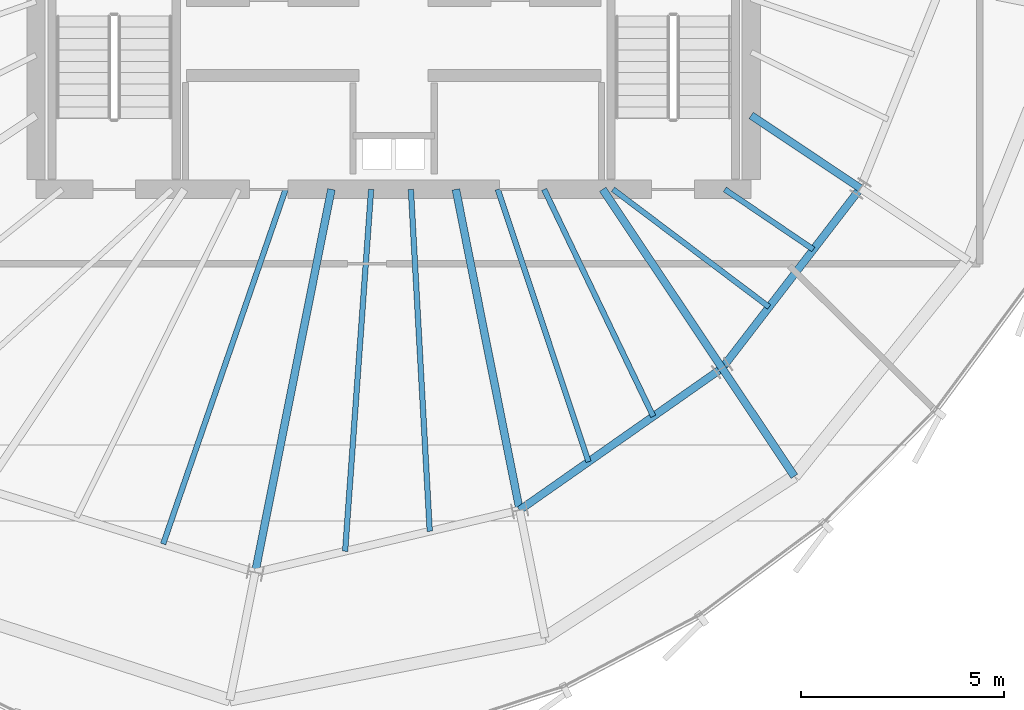
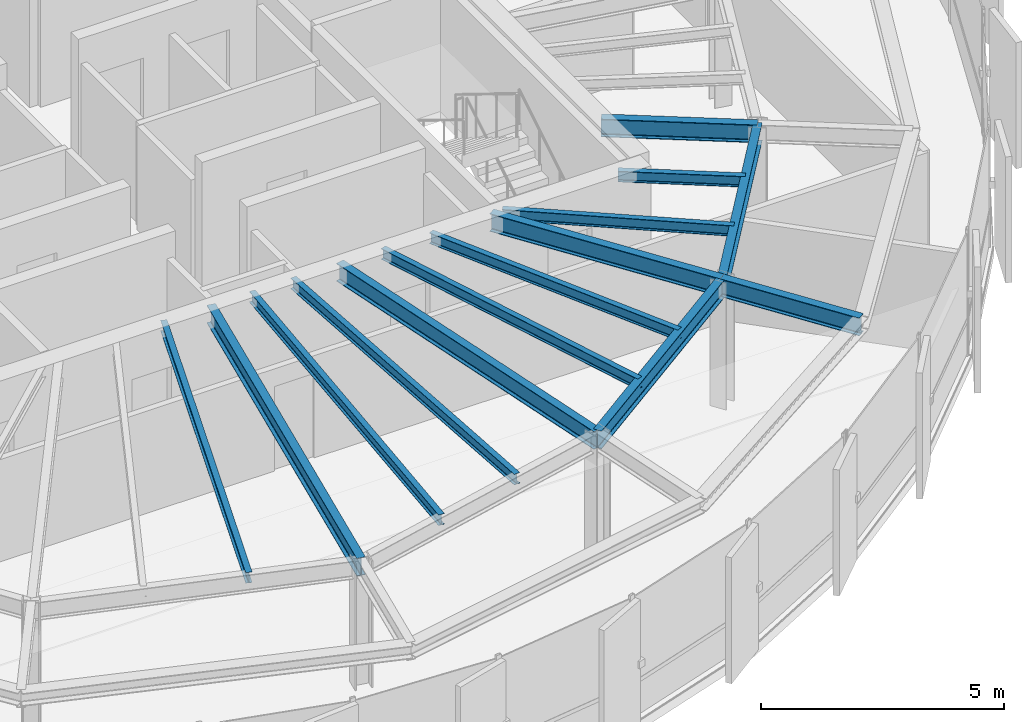
# One storey, part 8 of 33: 14 beams.
"""IFC4 building model written with IfcOpenShell, lengths in metres."""

from ifc_helpers import new_model, si_unit, direction, frame, origin, origin_2d, place, context, subcontext, project, spatial, i_section, extrude, source, transform, mapped, material, material_profile, profile_set, type_object, element, save


model = new_model("IFC4")

# Units and contexts
model_context = context("Model", 3, precision=1e-05, world=origin(), true_north=direction((0.0, 1.0)))
body_context = subcontext(model_context, "Body", "Model", "MODEL_VIEW")
ifc_project = project(units=[si_unit("LENGTHUNIT", "METRE"), si_unit("AREAUNIT", "SQUARE_METRE"), si_unit("VOLUMEUNIT", "CUBIC_METRE"), si_unit("PLANEANGLEUNIT", "RADIAN"), si_unit("MASSUNIT", "GRAM", prefix="KILO"), si_unit("THERMODYNAMICTEMPERATUREUNIT", "KELVIN")], contexts=[model_context])

# Site, building, storey
site_placement = place(None, origin())
site = spatial("IfcSite", under=ifc_project, at=site_placement, CompositionType="ELEMENT")
building_placement = place(site_placement, origin())
building = spatial("IfcBuilding", under=site, at=building_placement, Name="Kethvar Cultural Tower", CompositionType="ELEMENT")
storey_placement = place(building_placement, frame((0.0, 0.0, 266.35009765625)))
storey = spatial("IfcBuildingStorey", under=building, at=storey_placement, Name="L70", CompositionType="ELEMENT", Elevation=266.35009765625)

# Beams
ifc_material = material(Name="Steel S355J2", Category="steel")
ifc_material_profile_1 = material_profile(ifc_material, i_section(OverallWidth=0.18994140625, OverallDepth=0.449951171875, WebThickness=0.009521484375, FlangeThickness=0.0146484375, FilletRadius=0.02099609375, at=origin_2d()), Name="Steel S355J2 — IPE450")
ifc_profile_set_1 = profile_set([ifc_material_profile_1], Name="Steel S355J2 — IPE450")
beam_type_1 = type_object("IfcBeamType", Name="BM-IPE450", PredefinedType="BEAM", material=ifc_profile_set_1)
shared_shape_1 = source(origin(), body_context, "Body", "SweptSolid", [
    extrude(i_section(OverallWidth=0.18994140625, OverallDepth=0.449951171875, WebThickness=0.009521484375, FlangeThickness=0.0146484375, FilletRadius=0.02099609375, at=origin_2d()), origin(), (0.0, 0.0, 1.0), 3.199951171875),
])
beam_1_placement = place(storey_placement, frame((54.885009765625, 15.7001953125, 2.98291015625), z_axis=(0.555492222339, -0.83152173208, 0.0), x_axis=(0.83152173208, 0.555492222339, 0.0)))
element("IfcBeam", 1, at=beam_1_placement, inside=storey, type_object=beam_type_1, Name="L70 Perimeter Cantilever Beam RC-14", PredefinedType="BEAM", context=body_context, shape_type="MappedRepresentation", body=[
    mapped(shared_shape_1, transform((0.0, 0.0, 0.0), scale=1.0)),
])
shared_shape_2 = source(origin(), body_context, "Body", "SweptSolid", [
    extrude(i_section(OverallWidth=0.18994140625, OverallDepth=0.449951171875, WebThickness=0.009521484375, FlangeThickness=0.0146484375, FilletRadius=0.02099609375, at=origin_2d()), origin(), (0.0, 0.0, 1.0), 9.613525390625),
])
beam_2_placement = place(storey_placement, frame((45.268310546875, 20.10009765625, 2.98291015625), z_axis=(-0.195090428816, -0.980785259159, 0.0), x_axis=(0.980785259159, -0.195090428816, 0.0)))
element("IfcBeam", 2, at=beam_2_placement, inside=storey, type_object=beam_type_1, Name="L70 Primary Radial Beam RB-12", PredefinedType="BEAM", context=body_context, shape_type="MappedRepresentation", body=[
    mapped(shared_shape_2, transform((0.0, 0.0, 0.0), scale=1.0)),
])
shared_shape_3 = source(origin(), body_context, "Body", "SweptSolid", [
    extrude(i_section(OverallWidth=0.18994140625, OverallDepth=0.449951171875, WebThickness=0.009521484375, FlangeThickness=0.0146484375, FilletRadius=0.02099609375, at=origin_2d()), origin(), (0.0, 0.0, 1.0), 8.0478515625),
])
beam_3_placement = place(storey_placement, frame((48.33154296875, 20.10009765625, 2.98291015625), z_axis=(0.195089278796, -0.980785487912, 0.0), x_axis=(0.980785487912, 0.195089278796, 0.0)))
element("IfcBeam", 3, at=beam_3_placement, inside=storey, type_object=beam_type_1, Name="L70 Primary Radial Beam RB-13", PredefinedType="BEAM", context=body_context, shape_type="MappedRepresentation", body=[
    mapped(shared_shape_3, transform((0.0, 0.0, 0.0), scale=1.0)),
])
shared_shape_4 = source(origin(), body_context, "Body", "SweptSolid", [
    extrude(i_section(OverallWidth=0.18994140625, OverallDepth=0.449951171875, WebThickness=0.009521484375, FlangeThickness=0.0146484375, FilletRadius=0.02099609375, at=origin_2d()), origin(), (0.0, 0.0, 1.0), 5.291748046875),
])
beam_4_placement = place(storey_placement, frame((51.945068359375, 20.10009765625, 2.98291015625), z_axis=(0.555572931011, -0.831467809556, 0.0), x_axis=(0.831467809556, 0.555572931011, 0.0)))
element("IfcBeam", 4, at=beam_4_placement, inside=storey, type_object=beam_type_1, Name="L70 Primary Radial Beam RB-14", PredefinedType="BEAM", context=body_context, shape_type="MappedRepresentation", body=[
    mapped(shared_shape_4, transform((0.0, 0.0, 0.0), scale=1.0)),
])
shared_shape_5 = source(origin(), body_context, "Body", "SweptSolid", [
    extrude(i_section(OverallWidth=0.18994140625, OverallDepth=0.449951171875, WebThickness=0.009521484375, FlangeThickness=0.0146484375, FilletRadius=0.02099609375, at=origin_2d()), origin(), (0.0, 0.0, 1.0), 3.231689453125),
])
beam_5_placement = place(storey_placement, frame((55.60009765625, 21.919921875, 2.98291015625), z_axis=(0.831468708055, -0.55557158632, 0.0), x_axis=(0.55557158632, 0.831468708055, 0.0)))
element("IfcBeam", 5, at=beam_5_placement, inside=storey, type_object=beam_type_1, Name="L70 Primary Radial Beam RB-15", PredefinedType="BEAM", context=body_context, shape_type="MappedRepresentation", body=[
    mapped(shared_shape_5, transform((0.0, 0.0, 0.0), scale=1.0)),
])
ifc_material_profile_2 = material_profile(ifc_material, i_section(OverallWidth=0.135009765625, OverallDepth=0.27001953125, WebThickness=0.006591796875, FlangeThickness=0.01025390625, FilletRadius=0.014892578125, at=origin_2d()), Name="Steel S355J2 — IPE270")
ifc_profile_set_2 = profile_set([ifc_material_profile_2], Name="Steel S355J2 — IPE270")
beam_type_2 = type_object("IfcBeamType", Name="BM-J270", PredefinedType="JOIST", material=ifc_profile_set_2)
shared_shape_6 = source(origin(), body_context, "Body", "SweptSolid", [
    extrude(i_section(OverallWidth=0.135009765625, OverallDepth=0.27001953125, WebThickness=0.006591796875, FlangeThickness=0.01025390625, FilletRadius=0.014892578125, at=origin_2d()), origin(), (0.0, 0.0, 1.0), 9.234130859375),
])
beam_6_placement = place(storey_placement, frame((44.1416015625, 20.10009765625, 3.072998046875), z_axis=(-0.326362208058, -0.945244787953, 0.0), x_axis=(0.945244787953, -0.326362208058, 0.0)))
element("IfcBeam", 6, at=beam_6_placement, inside=storey, type_object=beam_type_2, Name="L70 Composite Floor Joist J-11B", PredefinedType="JOIST", context=body_context, shape_type="MappedRepresentation", body=[
    mapped(shared_shape_6, transform((0.0, 0.0, 0.0), scale=1.0)),
])
shared_shape_7 = source(origin(), body_context, "Body", "SweptSolid", [
    extrude(i_section(OverallWidth=0.135009765625, OverallDepth=0.27001953125, WebThickness=0.006591796875, FlangeThickness=0.01025390625, FilletRadius=0.014892578125, at=origin_2d()), origin(), (0.0, 0.0, 1.0), 8.9296875),
])
beam_7_placement = place(storey_placement, frame((46.246337890625, 20.10009765625, 3.072998046875), z_axis=(-0.071713352262, -0.99742528297, 0.0), x_axis=(0.99742528297, -0.071713352262, 0.0)))
element("IfcBeam", 7, at=beam_7_placement, inside=storey, type_object=beam_type_2, Name="L70 Composite Floor Joist J-12A", PredefinedType="JOIST", context=body_context, shape_type="MappedRepresentation", body=[
    mapped(shared_shape_7, transform((0.0, 0.0, 0.0), scale=1.0)),
])
shared_shape_8 = source(origin(), body_context, "Body", "SweptSolid", [
    extrude(i_section(OverallWidth=0.135009765625, OverallDepth=0.27001953125, WebThickness=0.006591796875, FlangeThickness=0.01025390625, FilletRadius=0.014892578125, at=origin_2d()), origin(), (0.0, 0.0, 1.0), 8.427978515625),
])
beam_8_placement = place(storey_placement, frame((47.224609375, 20.10009765625, 3.072998046875), z_axis=(0.055067321535, -0.998482643865, 0.0), x_axis=(0.998482643865, 0.055067321535, 0.0)))
element("IfcBeam", 8, at=beam_8_placement, inside=storey, type_object=beam_type_2, Name="L70 Composite Floor Joist J-12B", PredefinedType="JOIST", context=body_context, shape_type="MappedRepresentation", body=[
    mapped(shared_shape_8, transform((0.0, 0.0, 0.0), scale=1.0)),
])
shared_shape_9 = source(origin(), body_context, "Body", "SweptSolid", [
    extrude(i_section(OverallWidth=0.18994140625, OverallDepth=0.449951171875, WebThickness=0.009521484375, FlangeThickness=0.0146484375, FilletRadius=0.02099609375, at=origin_2d()), origin(), (0.0, 0.0, 1.0), 6.0859375),
])
beam_9_placement = place(storey_placement, frame((49.901611328125, 12.206787109375, 2.98291015625), z_axis=(0.818843498091, 0.57401683393, 0.0), x_axis=(-0.57401683393, 0.818843498091, 0.0)))
element("IfcBeam", 9, at=beam_9_placement, inside=storey, type_object=beam_type_1, Name="L70 Column Ring Tie Beam CR-13", PredefinedType="BEAM", context=body_context, shape_type="MappedRepresentation", body=[
    mapped(shared_shape_9, transform((0.0, 0.0, 0.0), scale=1.0)),
])
shared_shape_10 = source(origin(), body_context, "Body", "SweptSolid", [
    extrude(i_section(OverallWidth=0.135009765625, OverallDepth=0.27001953125, WebThickness=0.006591796875, FlangeThickness=0.01025390625, FilletRadius=0.014892578125, at=origin_2d()), origin(), (0.0, 0.0, 1.0), 7.0673828125),
])
beam_10_placement = place(storey_placement, frame((49.363525390625, 20.10009765625, 3.072998046875), z_axis=(0.315875389768, -0.948800684095, 0.0), x_axis=(0.948800684095, 0.315875389768, 0.0)))
element("IfcBeam", 10, at=beam_10_placement, inside=storey, type_object=beam_type_2, Name="L70 Composite Floor Joist J-13A", PredefinedType="JOIST", context=body_context, shape_type="MappedRepresentation", body=[
    mapped(shared_shape_10, transform((0.0, 0.0, 0.0), scale=1.0)),
])
shared_shape_11 = source(origin(), body_context, "Body", "SweptSolid", [
    extrude(i_section(OverallWidth=0.135009765625, OverallDepth=0.27001953125, WebThickness=0.006591796875, FlangeThickness=0.01025390625, FilletRadius=0.014892578125, at=origin_2d()), origin(), (0.0, 0.0, 1.0), 6.2001953125),
])
beam_11_placement = place(storey_placement, frame((50.50341796875, 20.10009765625, 3.072998046875), z_axis=(0.433410678328, -0.901196529017, 0.0), x_axis=(0.901196529017, 0.433410678328, 0.0)))
element("IfcBeam", 11, at=beam_11_placement, inside=storey, type_object=beam_type_2, Name="L70 Composite Floor Joist J-13B", PredefinedType="JOIST", context=body_context, shape_type="MappedRepresentation", body=[
    mapped(shared_shape_11, transform((0.0, 0.0, 0.0), scale=1.0)),
])
shared_shape_12 = source(origin(), body_context, "Body", "SweptSolid", [
    extrude(i_section(OverallWidth=0.18994140625, OverallDepth=0.449951171875, WebThickness=0.009521484375, FlangeThickness=0.0146484375, FilletRadius=0.02099609375, at=origin_2d()), origin(), (0.0, 0.0, 1.0), 5.5810546875),
])
beam_12_placement = place(storey_placement, frame((54.885009765625, 15.7001953125, 2.98291015625), z_axis=(0.60957334008, 0.79272967843, 0.0), x_axis=(-0.79272967843, 0.60957334008, 0.0)))
element("IfcBeam", 12, at=beam_12_placement, inside=storey, type_object=beam_type_1, Name="L70 Column Ring Tie Beam CR-14", PredefinedType="BEAM", context=body_context, shape_type="MappedRepresentation", body=[
    mapped(shared_shape_12, transform((0.0, 0.0, 0.0), scale=1.0)),
])
shared_shape_13 = source(origin(), body_context, "Body", "SweptSolid", [
    extrude(i_section(OverallWidth=0.135009765625, OverallDepth=0.27001953125, WebThickness=0.006591796875, FlangeThickness=0.01025390625, FilletRadius=0.014892578125, at=origin_2d()), origin(), (0.0, 0.0, 1.0), 4.810791015625),
])
beam_13_placement = place(storey_placement, frame((52.199951171875, 20.10009765625, 3.072998046875), z_axis=(0.798542152732, -0.601938892505, 0.0), x_axis=(0.601938892505, 0.798542152732, 0.0)))
element("IfcBeam", 13, at=beam_13_placement, inside=storey, type_object=beam_type_2, Name="L70 Composite Floor Joist J-14A", PredefinedType="JOIST", context=body_context, shape_type="MappedRepresentation", body=[
    mapped(shared_shape_13, transform((0.0, 0.0, 0.0), scale=1.0)),
])
shared_shape_14 = source(origin(), body_context, "Body", "SweptSolid", [
    extrude(i_section(OverallWidth=0.135009765625, OverallDepth=0.27001953125, WebThickness=0.006591796875, FlangeThickness=0.01025390625, FilletRadius=0.014892578125, at=origin_2d()), origin(), (0.0, 0.0, 1.0), 2.635009765625),
])
beam_14_placement = place(storey_placement, frame((54.949951171875, 20.10009765625, 3.072998046875), z_axis=(0.827446562598, -0.561544464887, 0.0), x_axis=(0.561544464887, 0.827446562598, 0.0)))
element("IfcBeam", 14, at=beam_14_placement, inside=storey, type_object=beam_type_2, Name="L70 Composite Floor Joist J-14B", PredefinedType="JOIST", context=body_context, shape_type="MappedRepresentation", body=[
    mapped(shared_shape_14, transform((0.0, 0.0, 0.0), scale=1.0)),
])

save(model, "model.ifc")
